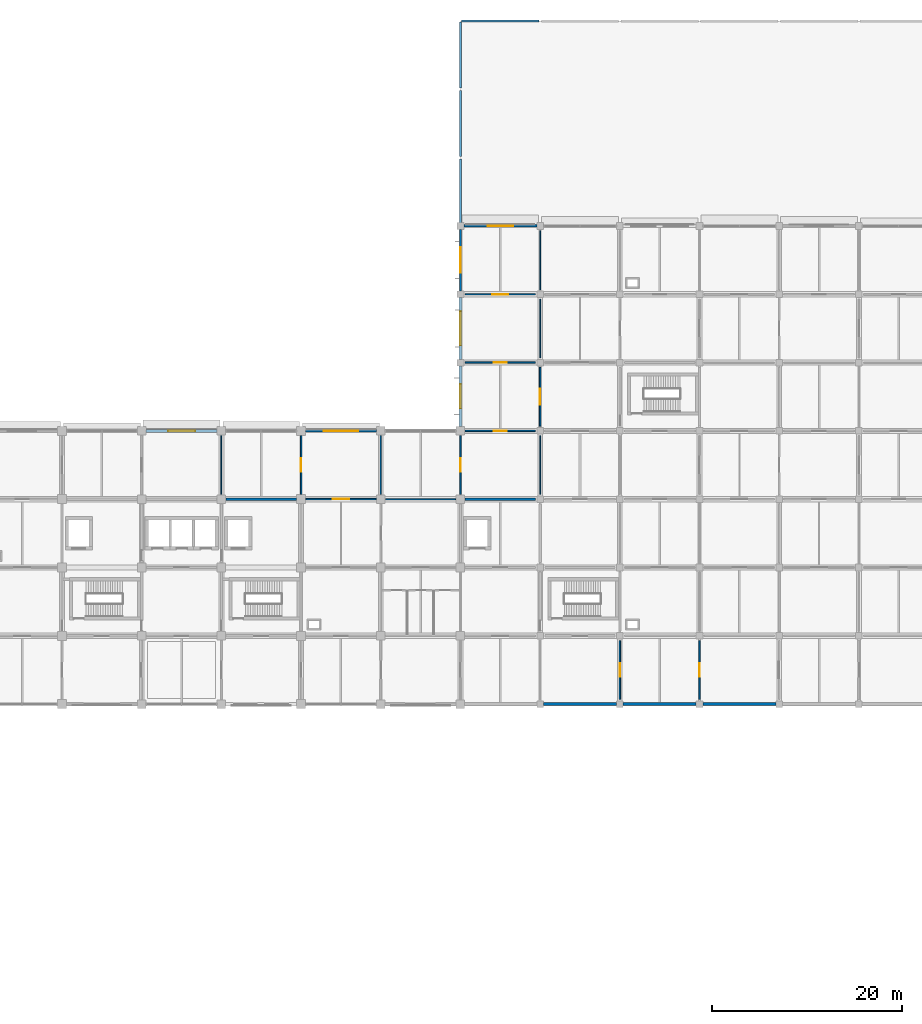
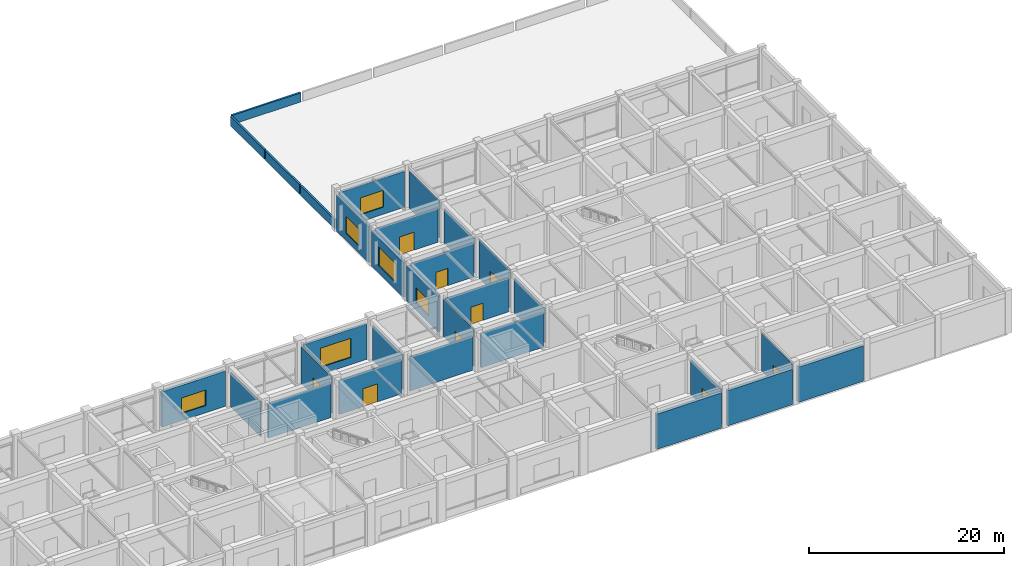
# One storey, part 27 of 41: 30 walls, 9 doors, 6 windows, 15 openings.
"""IFC4 building model written with IfcOpenShell, lengths in metres."""

from ifc_helpers import new_model, si_unit, derived_unit, direction, frame, frame_2d, origin, place, context, subcontext, project, spatial, rectangle, extrude, material, layer, layer_set, type_object, element, fill, save


model = new_model("IFC4")

# Units and contexts
model_context = context("Model", 3, precision=1e-05, world=origin(), true_north=direction((0.0, 1.0)))
body_context = subcontext(model_context, "Body", "Model", "MODEL_VIEW")
ifc_project = project(units=[si_unit("LENGTHUNIT", "METRE"), si_unit("AREAUNIT", "SQUARE_METRE"), si_unit("VOLUMEUNIT", "CUBIC_METRE"), si_unit("PLANEANGLEUNIT", "RADIAN"), si_unit("MASSUNIT", "GRAM", prefix="KILO"), derived_unit("THERMALTRANSMITTANCEUNIT", [(si_unit("MASSUNIT", "GRAM", prefix="KILO"), 1), (si_unit("TIMEUNIT", "SECOND"), -3), (si_unit("THERMODYNAMICTEMPERATUREUNIT", "KELVIN"), -1)])], contexts=[model_context])

# Site, building, storey
site_placement = place(None, origin())
site = spatial("IfcSite", under=ifc_project, at=site_placement, CompositionType="ELEMENT")
building_placement = place(site_placement, origin())
building = spatial("IfcBuilding", under=site, at=building_placement, Name="Veldstrom Oceanarium and Marine Research Institute", CompositionType="ELEMENT")
storey_placement = place(building_placement, frame((0.0, 0.0, 6.0)))
storey = spatial("IfcBuildingStorey", under=building, at=storey_placement, Name="L01", CompositionType="ELEMENT", Elevation=6.0)

# Wall, opening, window
ifc_material_1 = material(Name="Masonry Cavity Wall", Category="masonry")
ifc_layer_1 = layer(ifc_material_1, 0.31005859375)
ifc_layer_set_1 = layer_set([ifc_layer_1], Name="ARC-WAL-EW1")
wall_type_1 = type_object("IfcWallType", Name="ARC-WAL-EW1", PredefinedType="SOLIDWALL", material=ifc_layer_set_1)
wall_1_placement = place(storey_placement, frame((84.449951171875, 72.0, 0.0), z_axis=(0.0, 0.0, 1.0), x_axis=(1.0, 0.0, 0.0)))
wall_1 = element("IfcWall", 1, at=wall_1_placement, inside=storey, type_object=wall_type_1, Name="Exterior Facade Wall EW1 L01-092", PredefinedType="SOLIDWALL", context=body_context, shape_type="SweptSolid", body=[
    extrude(rectangle(XDim=7.5, YDim=0.31005859375, at=frame_2d((3.75, 0.0))), origin(), (0.0, 0.0, 1.0), 4.419921875),
])
opening_1_placement = place(wall_1_placement, frame((2.324951171875, 0.0, 0.89990234375)))
opening_1 = element("IfcOpeningElement", 2, at=opening_1_placement, cuts=wall_1, Name="Opening W19", PredefinedType="OPENING", context=body_context, shape_type="SweptSolid", body=[
    extrude(rectangle(XDim=2.85009765625, YDim=1.949951171875, at=frame_2d((1.425048828125, 0.97509765625))), frame((0.0, 0.1650390625, 0.0), z_axis=(0.0, -1.0, 0.0), x_axis=(1.0, 0.0, 0.0)), (0.0, 0.0, 1.0), 0.330078125),
])
ifc_material_2 = material(Name="Double Glazed Low-E IGU", Category="glass")
window_type_1 = type_object("IfcWindowType", Name="ARC-WIN-W19", PartitioningType="SINGLE_PANEL", PredefinedType="WINDOW", material=ifc_material_2)
window_1_placement = place(opening_1_placement, origin())
window_1 = element("IfcWindow", 3, at=window_1_placement, inside=storey, type_object=window_type_1, Name="Facade Window W19 L01-0061", OverallHeight=1.949951171875, OverallWidth=2.85009765625, PartitioningType="SINGLE_PANEL", PredefinedType="WINDOW", context=body_context, shape_type="SweptSolid", body=[
    extrude(rectangle(XDim=2.85009765625, YDim=1.949951171875, at=frame_2d((1.425048828125, 0.97509765625))), frame((0.0, 0.030029296875, 0.0), z_axis=(0.0, -1.0, 0.0), x_axis=(1.0, 0.0, 0.0)), (0.0, 0.0, 1.0), 0.06005859375),
])
fill(opening_1, window_1)

wall_2_placement = place(storey_placement, frame((117.60009765625, 72.449951171875, 0.0), z_axis=(0.0, 0.0, 1.0), x_axis=(0.0, 1.0, 0.0)))
wall_2 = element("IfcWall", 4, at=wall_2_placement, inside=storey, type_object=wall_type_1, Name="Exterior Facade Wall EW1 L01-097", PredefinedType="SOLIDWALL", context=body_context, shape_type="SweptSolid", body=[
    extrude(rectangle(XDim=6.400146484375, YDim=0.31005859375, at=frame_2d((3.2001953125, 0.0))), origin(), (0.0, 0.0, 1.0), 4.419921875),
])
opening_2_placement = place(wall_2_placement, frame((1.925048828125, 0.0, 0.89990234375)))
opening_2 = element("IfcOpeningElement", 5, at=opening_2_placement, cuts=wall_2, Name="Opening W20", PredefinedType="OPENING", context=body_context, shape_type="SweptSolid", body=[
    extrude(rectangle(XDim=2.550048828125, YDim=1.949951171875, at=frame_2d((1.27490234375, 0.97509765625))), frame((0.0, 0.1650390625, 0.0), z_axis=(0.0, -1.0, 0.0), x_axis=(1.0, 0.0, 0.0)), (0.0, 0.0, 1.0), 0.330078125),
])
ifc_material_3 = material(Name="Double Glazed Low-E IGU", Category="glass")
window_type_2 = type_object("IfcWindowType", Name="ARC-WIN-W20", PartitioningType="SINGLE_PANEL", PredefinedType="WINDOW", material=ifc_material_3)
window_2_placement = place(opening_2_placement, origin())
window_2 = element("IfcWindow", 6, at=window_2_placement, inside=storey, type_object=window_type_2, Name="Facade Window W20 L01-0066", OverallHeight=1.949951171875, OverallWidth=2.550048828125, PartitioningType="SINGLE_PANEL", PredefinedType="WINDOW", context=body_context, shape_type="SweptSolid", body=[
    extrude(rectangle(XDim=2.550048828125, YDim=1.949951171875, at=frame_2d((1.27490234375, 0.97509765625))), frame((0.0, 0.030029296875, 0.0), z_axis=(0.0, -1.0, 0.0), x_axis=(1.0, 0.0, 0.0)), (0.0, 0.0, 1.0), 0.06005859375),
])
fill(opening_2, window_2)

ifc_material_4 = material(Name="Masonry Cavity Wall", Category="masonry")
ifc_layer_2 = layer(ifc_material_4, 0.2900390625)
ifc_layer_set_2 = layer_set([ifc_layer_2], Name="ARC-WAL-EW2")
wall_type_2 = type_object("IfcWallType", Name="ARC-WAL-EW2", PredefinedType="SOLIDWALL", material=ifc_layer_set_2)
wall_3_placement = place(storey_placement, frame((117.60009765625, 79.550048828125, 0.0), z_axis=(0.0, 0.0, 1.0), x_axis=(0.0, 1.0, 0.0)))
wall_3 = element("IfcWall", 7, at=wall_3_placement, inside=storey, type_object=wall_type_2, Name="Exterior Facade Wall EW2 L01-098", PredefinedType="SOLIDWALL", context=body_context, shape_type="SweptSolid", body=[
    extrude(rectangle(XDim=6.5, YDim=0.2900390625, at=frame_2d((3.25, 0.0))), origin(), (0.0, 0.0, 1.0), 4.419921875),
])
opening_3_placement = place(wall_3_placement, frame((1.449951171875, 0.0, 0.89990234375)))
opening_3 = element("IfcOpeningElement", 8, at=opening_3_placement, cuts=wall_3, Name="Opening W11", PredefinedType="OPENING", context=body_context, shape_type="SweptSolid", body=[
    extrude(rectangle(XDim=3.60009765625, YDim=2.39990234375, at=frame_2d((1.800048828125, 1.199951171875))), frame((0.0, 0.155029296875, 0.0), z_axis=(0.0, -1.0, 0.0), x_axis=(1.0, 0.0, 0.0)), (0.0, 0.0, 1.0), 0.31005859375),
])
ifc_material_5 = material(Name="Double Glazed Low-E IGU", Category="glass")
window_type_3 = type_object("IfcWindowType", Name="ARC-WIN-W11", PartitioningType="SINGLE_PANEL", PredefinedType="WINDOW", material=ifc_material_5)
window_3_placement = place(opening_3_placement, origin())
window_3 = element("IfcWindow", 9, at=window_3_placement, inside=storey, type_object=window_type_3, Name="Facade Window W11 L01-0067", OverallHeight=2.39990234375, OverallWidth=3.60009765625, PartitioningType="SINGLE_PANEL", PredefinedType="WINDOW", context=body_context, shape_type="SweptSolid", body=[
    extrude(rectangle(XDim=3.60009765625, YDim=2.39990234375, at=frame_2d((1.800048828125, 1.199951171875))), frame((0.0, 0.030029296875, 0.0), z_axis=(0.0, -1.0, 0.0), x_axis=(1.0, 0.0, 0.0)), (0.0, 0.0, 1.0), 0.06005859375),
])
fill(opening_3, window_3)

ifc_material_6 = material(Name="Masonry Cavity Wall", Category="masonry")
ifc_layer_3 = layer(ifc_material_6, 0.27001953125)
ifc_layer_set_3 = layer_set([ifc_layer_3], Name="ARC-WAL-EW3")
wall_type_3 = type_object("IfcWallType", Name="ARC-WAL-EW3", PredefinedType="SOLIDWALL", material=ifc_layer_set_3)
wall_4_placement = place(storey_placement, frame((101.27490234375, 72.0, 0.0), z_axis=(0.0, 0.0, 1.0), x_axis=(1.0, 0.0, 0.0)))
wall_4 = element("IfcWall", 10, at=wall_4_placement, inside=storey, type_object=wall_type_3, Name="Exterior Facade Wall EW3 L01-094", PredefinedType="SOLIDWALL", context=body_context, shape_type="SweptSolid", body=[
    extrude(rectangle(XDim=7.47509765625, YDim=0.27001953125, at=frame_2d((3.737548828125, 0.0))), origin(), (0.0, 0.0, 1.0), 4.419921875),
])
opening_4_placement = place(wall_4_placement, frame((1.9375, 0.0, 0.89990234375)))
opening_4 = element("IfcOpeningElement", 11, at=opening_4_placement, cuts=wall_4, Name="Opening W11", PredefinedType="OPENING", context=body_context, shape_type="SweptSolid", body=[
    extrude(rectangle(XDim=3.60009765625, YDim=2.39990234375, at=frame_2d((1.800048828125, 1.199951171875))), frame((0.0, 0.14501953125, 0.0), z_axis=(0.0, -1.0, 0.0), x_axis=(1.0, 0.0, 0.0)), (0.0, 0.0, 1.0), 0.2900390625),
])
window_4_placement = place(opening_4_placement, origin())
window_4 = element("IfcWindow", 12, at=window_4_placement, inside=storey, type_object=window_type_3, Name="Facade Window W11 L01-0064", OverallHeight=2.39990234375, OverallWidth=3.60009765625, PartitioningType="SINGLE_PANEL", PredefinedType="WINDOW", context=body_context, shape_type="SweptSolid", body=[
    extrude(rectangle(XDim=3.60009765625, YDim=2.39990234375, at=frame_2d((1.800048828125, 1.199951171875))), frame((0.0, 0.030029296875, 0.0), z_axis=(0.0, -1.0, 0.0), x_axis=(1.0, 0.0, 0.0)), (0.0, 0.0, 1.0), 0.06005859375),
])
fill(opening_4, window_4)

wall_5_placement = place(storey_placement, frame((117.949951171875, 93.60009765625, 0.0), z_axis=(0.0, 0.0, 1.0), x_axis=(1.0, 0.0, 0.0)))
wall_5 = element("IfcWall", 13, at=wall_5_placement, inside=storey, type_object=wall_type_3, Name="Exterior Facade Wall EW3 L01-099", PredefinedType="SOLIDWALL", context=body_context, shape_type="SweptSolid", body=[
    extrude(rectangle(XDim=7.699951171875, YDim=0.27001953125, at=frame_2d((3.85009765625, 0.0))), origin(), (0.0, 0.0, 1.0), 4.52001953125),
])
opening_5_placement = place(wall_5_placement, frame((2.5, 0.0, 0.89990234375)))
opening_5 = element("IfcOpeningElement", 14, at=opening_5_placement, cuts=wall_5, Name="Opening W08", PredefinedType="OPENING", context=body_context, shape_type="SweptSolid", body=[
    extrude(rectangle(XDim=2.699951171875, YDim=2.10009765625, at=frame_2d((1.35009765625, 1.050048828125))), frame((0.0, 0.14501953125, 0.0), z_axis=(0.0, -1.0, 0.0), x_axis=(1.0, 0.0, 0.0)), (0.0, 0.0, 1.0), 0.2900390625),
])
ifc_material_7 = material(Name="Double Glazed Low-E IGU", Category="glass")
window_type_4 = type_object("IfcWindowType", Name="ARC-WIN-W08", PartitioningType="SINGLE_PANEL", PredefinedType="WINDOW", material=ifc_material_7)
window_5_placement = place(opening_5_placement, origin())
window_5 = element("IfcWindow", 15, at=window_5_placement, inside=storey, type_object=window_type_4, Name="Facade Window W08 L01-0068", OverallHeight=2.10009765625, OverallWidth=2.699951171875, PartitioningType="SINGLE_PANEL", PredefinedType="WINDOW", context=body_context, shape_type="SweptSolid", body=[
    extrude(rectangle(XDim=2.699951171875, YDim=2.10009765625, at=frame_2d((1.35009765625, 1.050048828125))), frame((0.0, 0.030029296875, 0.0), z_axis=(0.0, -1.0, 0.0), x_axis=(1.0, 0.0, 0.0)), (0.0, 0.0, 1.0), 0.06005859375),
])
fill(opening_5, window_5)

# Walls
ifc_material_8 = material(Name="Masonry Cavity Wall", Category="masonry")
ifc_layer_4 = layer(ifc_material_8, 0.340087890625)
ifc_layer_set_4 = layer_set([ifc_layer_4], Name="ARC-WAL-EW4")
wall_type_4 = type_object("IfcWallType", Name="ARC-WAL-EW4", PredefinedType="SOLIDWALL", material=ifc_layer_set_4)
for number, where, z_axis, x_axis, name in (
    (16, (126.35009765625, 43.199951171875, 0.0), (0.0, 0.0, 1.0), (1.0, 0.0, 0.0), "Exterior Facade Wall EW4 L01-101"),
    (17, (134.75, 43.199951171875, 0.0), (0.0, 0.0, 1.0), (1.0, 0.0, 0.0), "Exterior Facade Wall EW4 L01-102"),
):
    element("IfcWall", number, at=place(storey_placement, frame(where, z_axis=z_axis, x_axis=x_axis)), inside=storey, type_object=wall_type_4, Name=name, PredefinedType="SOLIDWALL", context=body_context, shape_type="SweptSolid", body=[
        extrude(rectangle(XDim=7.699951171875, YDim=0.340087890625, at=frame_2d((3.85009765625, 0.0))), origin(), (0.0, 0.0, 1.0), 4.419921875),
    ])
wall_6_placement = place(storey_placement, frame((143.14990234375, 43.199951171875, 0.0), z_axis=(0.0, 0.0, 1.0), x_axis=(1.0, 0.0, 0.0)))
element("IfcWall", 18, at=wall_6_placement, inside=storey, type_object=wall_type_4, Name="Exterior Facade Wall EW4 L01-104", PredefinedType="SOLIDWALL", context=body_context, shape_type="SweptSolid", body=[
    extrude(rectangle(XDim=7.7001953125, YDim=0.340087890625, at=frame_2d((3.85009765625, 0.0))), origin(), (0.0, 0.0, 1.0), 4.419921875),
])

# Wall, opening, window
ifc_material_9 = material(Name="Masonry Cavity Wall", Category="masonry")
ifc_layer_5 = layer(ifc_material_9, 0.25)
ifc_layer_set_5 = layer_set([ifc_layer_5], Name="ARC-WAL-EW5")
wall_type_5 = type_object("IfcWallType", Name="ARC-WAL-EW5", PredefinedType="SOLIDWALL", material=ifc_layer_set_5)
wall_7_placement = place(storey_placement, frame((117.60009765625, 86.75, 0.0), z_axis=(0.0, 0.0, 1.0), x_axis=(0.0, 1.0, 0.0)))
wall_7 = element("IfcWall", 19, at=wall_7_placement, inside=storey, type_object=wall_type_5, Name="Exterior Facade Wall EW5 L01-100", PredefinedType="SOLIDWALL", context=body_context, shape_type="SweptSolid", body=[
    extrude(rectangle(XDim=6.5, YDim=0.25, at=frame_2d((3.25, 0.0))), origin(), (0.0, 0.0, 1.0), 4.52001953125),
])
opening_6_placement = place(wall_7_placement, frame((1.89990234375, 0.0, 0.89990234375)))
opening_6 = element("IfcOpeningElement", 20, at=opening_6_placement, cuts=wall_7, Name="Opening W08", PredefinedType="OPENING", context=body_context, shape_type="SweptSolid", body=[
    extrude(rectangle(XDim=2.699951171875, YDim=2.10009765625, at=frame_2d((1.35009765625, 1.050048828125))), frame((0.0, 0.135009765625, 0.0), z_axis=(0.0, -1.0, 0.0), x_axis=(1.0, 0.0, 0.0)), (0.0, 0.0, 1.0), 0.27001953125),
])
window_6_placement = place(opening_6_placement, origin())
window_6 = element("IfcWindow", 21, at=window_6_placement, inside=storey, type_object=window_type_4, Name="Facade Window W08 L01-0069", OverallHeight=2.10009765625, OverallWidth=2.699951171875, PartitioningType="SINGLE_PANEL", PredefinedType="WINDOW", context=body_context, shape_type="SweptSolid", body=[
    extrude(rectangle(XDim=2.699951171875, YDim=2.10009765625, at=frame_2d((1.35009765625, 1.050048828125))), frame((0.0, 0.030029296875, 0.0), z_axis=(0.0, -1.0, 0.0), x_axis=(1.0, 0.0, 0.0)), (0.0, 0.0, 1.0), 0.06005859375),
])
fill(opening_6, window_6)

# Walls
ifc_material_10 = material(Name="Masonry Cavity Wall", Category="masonry")
ifc_layer_6 = layer(ifc_material_10, 0.219970703125)
ifc_layer_set_6 = layer_set([ifc_layer_6], Name="ARC-WAL-PR1")
wall_type_6 = type_object("IfcWallType", Name="ARC-WAL-PR1", PredefinedType="PARAPET", material=ifc_layer_set_6)
for number, where, z_axis, x_axis, name in (
    (22, (117.60009765625, 93.719970703125, 0.0), (0.0, 0.0, 1.0), (0.0, 1.0, 0.0), "Roof Parapet Wall L00-010"),
    (23, (117.60009765625, 100.919921875, 0.0), (0.0, 0.0, 1.0), (0.0, 1.0, 0.0), "Roof Parapet Wall L00-011"),
):
    element("IfcWall", number, at=place(storey_placement, frame(where, z_axis=z_axis, x_axis=x_axis)), inside=storey, type_object=wall_type_6, Name=name, PredefinedType="PARAPET", context=body_context, shape_type="SweptSolid", body=[
        extrude(rectangle(XDim=6.9599609375, YDim=0.219970703125, at=frame_2d((3.47998046875, 0.0))), origin(), (0.0, 0.0, 1.0), 1.14990234375),
    ])
wall_8_placement = place(storey_placement, frame((117.719970703125, 115.199951171875, 0.0), z_axis=(0.0, 0.0, 1.0), x_axis=(1.0, 0.0, 0.0)))
element("IfcWall", 24, at=wall_8_placement, inside=storey, type_object=wall_type_6, Name="Roof Parapet Wall L00-012", PredefinedType="PARAPET", context=body_context, shape_type="SweptSolid", body=[
    extrude(rectangle(XDim=8.159912109375, YDim=0.219970703125, at=frame_2d((4.080078125, 0.0))), origin(), (0.0, 0.0, 1.0), 1.14990234375),
])
wall_9_placement = place(storey_placement, frame((117.60009765625, 108.1201171875, 0.0), z_axis=(0.0, 0.0, 1.0), x_axis=(0.0, 1.0, 0.0)))
element("IfcWall", 25, at=wall_9_placement, inside=storey, type_object=wall_type_6, Name="Roof Parapet Wall L00-013", PredefinedType="PARAPET", context=body_context, shape_type="SweptSolid", body=[
    extrude(rectangle(XDim=6.9599609375, YDim=0.219970703125, at=frame_2d((3.47998046875, 0.0))), origin(), (0.0, 0.0, 1.0), 1.14990234375),
])
ifc_material_11 = material(Name="Masonry Fire Compartment Wall", Category="masonry")
ifc_layer_7 = layer(ifc_material_11, 0.22998046875)
ifc_layer_set_7 = layer_set([ifc_layer_7], Name="ARC-WAL-PT1")
wall_type_7 = type_object("IfcWallType", Name="ARC-WAL-PT1", PredefinedType="PARTITIONING", material=ifc_layer_set_7)
wall_10_placement = place(storey_placement, frame((92.89990234375, 64.800048828125, 0.0), z_axis=(0.0, 0.0, 1.0), x_axis=(1.0, 0.0, 0.0)))
element("IfcWall", 26, at=wall_10_placement, inside=storey, type_object=wall_type_7, Name="Interior Partition PT1 L01-0969", PredefinedType="PARTITIONING", context=body_context, shape_type="SweptSolid", body=[
    extrude(rectangle(XDim=7.400146484375, YDim=0.22998046875, at=frame_2d((3.7001953125, 0.0))), origin(), (0.0, 0.0, 1.0), 4.27001953125),
])
wall_11_placement = place(storey_placement, frame((118.10009765625, 64.800048828125, 0.0), z_axis=(0.0, 0.0, 1.0), x_axis=(1.0, 0.0, 0.0)))
element("IfcWall", 27, at=wall_11_placement, inside=storey, type_object=wall_type_7, Name="Interior Partition PT1 L01-0990", PredefinedType="PARTITIONING", context=body_context, shape_type="SweptSolid", body=[
    extrude(rectangle(XDim=7.39990234375, YDim=0.22998046875, at=frame_2d((3.699951171875, 0.0))), origin(), (0.0, 0.0, 1.0), 4.27001953125),
])

# Wall, opening, door
ifc_material_12 = material(Name="Drywall Corridor Partition", Category="gypsum")
ifc_layer_8 = layer(ifc_material_12, 0.155029296875)
ifc_layer_set_8 = layer_set([ifc_layer_8], Name="ARC-WAL-PT4")
wall_type_8 = type_object("IfcWallType", Name="ARC-WAL-PT4", PredefinedType="PARTITIONING", material=ifc_layer_set_8)
wall_12_placement = place(storey_placement, frame((100.800048828125, 65.300048828125, 0.0), z_axis=(0.0, 0.0, 1.0), x_axis=(0.0, 1.0, 0.0)))
wall_12 = element("IfcWall", 28, at=wall_12_placement, inside=storey, type_object=wall_type_8, Name="Interior Partition PT4 L01-0970", PredefinedType="PARTITIONING", context=body_context, shape_type="SweptSolid", body=[
    extrude(rectangle(XDim=6.199951171875, YDim=0.155029296875, at=frame_2d((3.10009765625, 0.0))), origin(), (0.0, 0.0, 1.0), 4.570068359375),
])
opening_7_placement = place(wall_12_placement, frame((2.39990234375, 0.0, 0.0)))
opening_7 = element("IfcOpeningElement", 29, at=opening_7_placement, cuts=wall_12, Name="Opening D-L01-563", PredefinedType="OPENING", context=body_context, shape_type="SweptSolid", body=[
    extrude(rectangle(XDim=1.39990234375, YDim=2.14990234375, at=frame_2d((0.699951171875, 1.074951171875))), frame((0.0, 0.08740234375, 0.0), z_axis=(0.0, -1.0, 0.0), x_axis=(1.0, 0.0, 0.0)), (0.0, 0.0, 1.0), 0.175048828125),
])
ifc_material_13 = material(Name="Education Classroom Door", Category="timber")
door_type_1 = type_object("IfcDoorType", Name="ARC-DOR-ID04", OperationType="DOUBLE_DOOR_SINGLE_SWING", PredefinedType="DOOR", material=ifc_material_13)
door_1_placement = place(opening_7_placement, origin())
door_1 = element("IfcDoor", 30, at=door_1_placement, inside=storey, type_object=door_type_1, Name="Interior Door D-L01-563", OperationType="DOUBLE_DOOR_SINGLE_SWING", OverallHeight=2.14990234375, OverallWidth=1.39990234375, PredefinedType="DOOR", context=body_context, shape_type="SweptSolid", body=[
    extrude(rectangle(XDim=1.39990234375, YDim=2.14990234375, at=frame_2d((0.699951171875, 1.074951171875))), frame((0.0, 0.02490234375, 0.0), z_axis=(0.0, -1.0, 0.0), x_axis=(1.0, 0.0, 0.0)), (0.0, 0.0, 1.0), 0.050048828125),
])
fill(opening_7, door_1)

wall_13_placement = place(storey_placement, frame((101.300048828125, 64.800048828125, 0.0), z_axis=(0.0, 0.0, 1.0), x_axis=(1.0, 0.0, 0.0)))
wall_13 = element("IfcWall", 31, at=wall_13_placement, inside=storey, type_object=wall_type_8, Name="Interior Partition PT4 L01-0976", PredefinedType="PARTITIONING", context=body_context, shape_type="SweptSolid", body=[
    extrude(rectangle(XDim=7.39990234375, YDim=0.155029296875, at=frame_2d((3.699951171875, 0.0))), origin(), (0.0, 0.0, 1.0), 4.27001953125),
])
opening_8_placement = place(wall_13_placement, frame((2.85009765625, 0.0, 0.0)))
opening_8 = element("IfcOpeningElement", 32, at=opening_8_placement, cuts=wall_13, Name="Opening D-L01-568", PredefinedType="OPENING", context=body_context, shape_type="SweptSolid", body=[
    extrude(rectangle(XDim=1.699951171875, YDim=2.25, at=frame_2d((0.85009765625, 1.125))), frame((0.0, 0.08740234375, 0.0), z_axis=(0.0, -1.0, 0.0), x_axis=(1.0, 0.0, 0.0)), (0.0, 0.0, 1.0), 0.175048828125),
])
ifc_material_14 = material(Name="Symposium Auditorium Door", Category="timber")
door_type_2 = type_object("IfcDoorType", Name="ARC-DOR-ID13", OperationType="DOUBLE_DOOR_SINGLE_SWING", PredefinedType="DOOR", material=ifc_material_14)
door_2_placement = place(opening_8_placement, frame((1.699951171875, 0.0, 0.0), z_axis=(0.0, 0.0, 1.0), x_axis=(-1.0, 0.0, 0.0)))
door_2 = element("IfcDoor", 33, at=door_2_placement, inside=storey, type_object=door_type_2, Name="Interior Door D-L01-568", OperationType="DOUBLE_DOOR_SINGLE_SWING", OverallHeight=2.25, OverallWidth=1.699951171875, PredefinedType="DOOR", context=body_context, shape_type="SweptSolid", body=[
    extrude(rectangle(XDim=1.699951171875, YDim=2.25, at=frame_2d((0.85009765625, 1.125))), frame((0.0, 0.02490234375, 0.0), z_axis=(0.0, -1.0, 0.0), x_axis=(1.0, 0.0, 0.0)), (0.0, 0.0, 1.0), 0.050048828125),
])
fill(opening_8, door_2)

wall_14_placement = place(storey_placement, frame((117.60009765625, 65.300048828125, 0.0), z_axis=(0.0, 0.0, 1.0), x_axis=(0.0, 1.0, 0.0)))
wall_14 = element("IfcWall", 34, at=wall_14_placement, inside=storey, type_object=wall_type_8, Name="Interior Partition PT4 L01-0984", PredefinedType="PARTITIONING", context=body_context, shape_type="SweptSolid", body=[
    extrude(rectangle(XDim=6.199951171875, YDim=0.155029296875, at=frame_2d((3.10009765625, 0.0))), origin(), (0.0, 0.0, 1.0), 4.669921875),
])
opening_9_placement = place(wall_14_placement, frame((2.39990234375, 0.0, 0.0)))
opening_9 = element("IfcOpeningElement", 35, at=opening_9_placement, cuts=wall_14, Name="Opening D-L01-571", PredefinedType="OPENING", context=body_context, shape_type="SweptSolid", body=[
    extrude(rectangle(XDim=1.39990234375, YDim=2.14990234375, at=frame_2d((0.699951171875, 1.074951171875))), frame((0.0, 0.08740234375, 0.0), z_axis=(0.0, -1.0, 0.0), x_axis=(1.0, 0.0, 0.0)), (0.0, 0.0, 1.0), 0.175048828125),
])
door_3_placement = place(opening_9_placement, origin())
door_3 = element("IfcDoor", 36, at=door_3_placement, inside=storey, type_object=door_type_1, Name="Interior Door D-L01-571", OperationType="DOUBLE_DOOR_SINGLE_SWING", OverallHeight=2.14990234375, OverallWidth=1.39990234375, PredefinedType="DOOR", context=body_context, shape_type="SweptSolid", body=[
    extrude(rectangle(XDim=1.39990234375, YDim=2.14990234375, at=frame_2d((0.699951171875, 1.074951171875))), frame((0.0, 0.02490234375, 0.0), z_axis=(0.0, -1.0, 0.0), x_axis=(1.0, 0.0, 0.0)), (0.0, 0.0, 1.0), 0.050048828125),
])
fill(opening_9, door_3)

wall_15_placement = place(storey_placement, frame((126.0, 72.5, 0.0), z_axis=(0.0, 0.0, 1.0), x_axis=(0.0, 1.0, 0.0)))
wall_15 = element("IfcWall", 37, at=wall_15_placement, inside=storey, type_object=wall_type_8, Name="Interior Partition PT4 L01-0993", PredefinedType="PARTITIONING", context=body_context, shape_type="SweptSolid", body=[
    extrude(rectangle(XDim=6.199951171875, YDim=0.155029296875, at=frame_2d((3.10009765625, 0.0))), origin(), (0.0, 0.0, 1.0), 4.780029296875),
])
opening_10_placement = place(wall_15_placement, frame((2.25, 0.0, 0.0)))
opening_10 = element("IfcOpeningElement", 38, at=opening_10_placement, cuts=wall_15, Name="Opening D-L01-576", PredefinedType="OPENING", context=body_context, shape_type="SweptSolid", body=[
    extrude(rectangle(XDim=1.699951171875, YDim=2.25, at=frame_2d((0.85009765625, 1.125))), frame((0.0, 0.08740234375, 0.0), z_axis=(0.0, -1.0, 0.0), x_axis=(1.0, 0.0, 0.0)), (0.0, 0.0, 1.0), 0.175048828125),
])
door_4_placement = place(opening_10_placement, origin())
door_4 = element("IfcDoor", 39, at=door_4_placement, inside=storey, type_object=door_type_2, Name="Interior Door D-L01-576", OperationType="DOUBLE_DOOR_SINGLE_SWING", OverallHeight=2.25, OverallWidth=1.699951171875, PredefinedType="DOOR", context=body_context, shape_type="SweptSolid", body=[
    extrude(rectangle(XDim=1.699951171875, YDim=2.25, at=frame_2d((0.85009765625, 1.125))), frame((0.0, 0.02490234375, 0.0), z_axis=(0.0, -1.0, 0.0), x_axis=(1.0, 0.0, 0.0)), (0.0, 0.0, 1.0), 0.050048828125),
])
fill(opening_10, door_4)

wall_16_placement = place(storey_placement, frame((118.10009765625, 79.199951171875, 0.0), z_axis=(0.0, 0.0, 1.0), x_axis=(1.0, 0.0, 0.0)))
wall_16 = element("IfcWall", 40, at=wall_16_placement, inside=storey, type_object=wall_type_8, Name="Interior Partition PT4 L01-0994", PredefinedType="PARTITIONING", context=body_context, shape_type="SweptSolid", body=[
    extrude(rectangle(XDim=7.39990234375, YDim=0.155029296875, at=frame_2d((3.699951171875, 0.0))), origin(), (0.0, 0.0, 1.0), 4.27001953125),
])
opening_11_placement = place(wall_16_placement, frame((3.0, 0.0, 0.0)))
opening_11 = element("IfcOpeningElement", 41, at=opening_11_placement, cuts=wall_16, Name="Opening D-L01-577", PredefinedType="OPENING", context=body_context, shape_type="SweptSolid", body=[
    extrude(rectangle(XDim=1.39990234375, YDim=2.14990234375, at=frame_2d((0.699951171875, 1.074951171875))), frame((0.0, 0.08740234375, 0.0), z_axis=(0.0, -1.0, 0.0), x_axis=(1.0, 0.0, 0.0)), (0.0, 0.0, 1.0), 0.175048828125),
])
door_5_placement = place(opening_11_placement, frame((1.39990234375, 0.0, 0.0), z_axis=(0.0, 0.0, 1.0), x_axis=(-1.0, 0.0, 0.0)))
door_5 = element("IfcDoor", 42, at=door_5_placement, inside=storey, type_object=door_type_1, Name="Interior Door D-L01-577", OperationType="DOUBLE_DOOR_SINGLE_SWING", OverallHeight=2.14990234375, OverallWidth=1.39990234375, PredefinedType="DOOR", context=body_context, shape_type="SweptSolid", body=[
    extrude(rectangle(XDim=1.39990234375, YDim=2.14990234375, at=frame_2d((0.699951171875, 1.074951171875))), frame((0.0, 0.02490234375, 0.0), z_axis=(0.0, -1.0, 0.0), x_axis=(1.0, 0.0, 0.0)), (0.0, 0.0, 1.0), 0.050048828125),
])
fill(opening_11, door_5)

wall_17_placement = place(storey_placement, frame((142.800048828125, 43.699951171875, 0.0), z_axis=(0.0, 0.0, 1.0), x_axis=(0.0, 1.0, 0.0)))
wall_17 = element("IfcWall", 43, at=wall_17_placement, inside=storey, type_object=wall_type_8, Name="Interior Partition PT4 L01-1011", PredefinedType="PARTITIONING", context=body_context, shape_type="SweptSolid", body=[
    extrude(rectangle(XDim=6.199951171875, YDim=0.155029296875, at=frame_2d((3.10009765625, 0.0))), origin(), (0.0, 0.0, 1.0), 4.669921875),
])
opening_12_placement = place(wall_17_placement, frame((2.39990234375, 0.0, 0.0)))
opening_12 = element("IfcOpeningElement", 44, at=opening_12_placement, cuts=wall_17, Name="Opening D-L01-587", PredefinedType="OPENING", context=body_context, shape_type="SweptSolid", body=[
    extrude(rectangle(XDim=1.39990234375, YDim=2.14990234375, at=frame_2d((0.699951171875, 1.074951171875))), frame((0.0, 0.08740234375, 0.0), z_axis=(0.0, -1.0, 0.0), x_axis=(1.0, 0.0, 0.0)), (0.0, 0.0, 1.0), 0.175048828125),
])
door_6_placement = place(opening_12_placement, origin())
door_6 = element("IfcDoor", 45, at=door_6_placement, inside=storey, type_object=door_type_1, Name="Interior Door D-L01-587", OperationType="DOUBLE_DOOR_SINGLE_SWING", OverallHeight=2.14990234375, OverallWidth=1.39990234375, PredefinedType="DOOR", context=body_context, shape_type="SweptSolid", body=[
    extrude(rectangle(XDim=1.39990234375, YDim=2.14990234375, at=frame_2d((0.699951171875, 1.074951171875))), frame((0.0, 0.02490234375, 0.0), z_axis=(0.0, -1.0, 0.0), x_axis=(1.0, 0.0, 0.0)), (0.0, 0.0, 1.0), 0.050048828125),
])
fill(opening_12, door_6)

ifc_material_15 = material(Name="Moisture-Resistant Wet-Area Partition", Category="masonry")
ifc_layer_9 = layer(ifc_material_15, 0.139892578125)
ifc_layer_set_9 = layer_set([ifc_layer_9], Name="ARC-WAL-PT5")
wall_type_9 = type_object("IfcWallType", Name="ARC-WAL-PT5", PredefinedType="PARTITIONING", material=ifc_layer_set_9)
wall_18_placement = place(storey_placement, frame((118.10009765625, 72.0, 0.0), z_axis=(0.0, 0.0, 1.0), x_axis=(1.0, 0.0, 0.0)))
wall_18 = element("IfcWall", 46, at=wall_18_placement, inside=storey, type_object=wall_type_9, Name="Interior Partition PT5 L01-0992", PredefinedType="PARTITIONING", context=body_context, shape_type="SweptSolid", body=[
    extrude(rectangle(XDim=7.39990234375, YDim=0.139892578125, at=frame_2d((3.699951171875, 0.0))), origin(), (0.0, 0.0, 1.0), 4.27001953125),
])
opening_13_placement = place(wall_18_placement, frame((3.0, 0.0, 0.0)))
opening_13 = element("IfcOpeningElement", 47, at=opening_13_placement, cuts=wall_18, Name="Opening D-L01-575", PredefinedType="OPENING", context=body_context, shape_type="SweptSolid", body=[
    extrude(rectangle(XDim=1.39990234375, YDim=2.14990234375, at=frame_2d((0.699951171875, 1.074951171875))), frame((0.0, 0.079833984375, 0.0), z_axis=(0.0, -1.0, 0.0), x_axis=(1.0, 0.0, 0.0)), (0.0, 0.0, 1.0), 0.159912109375),
])
door_7_placement = place(opening_13_placement, origin())
door_7 = element("IfcDoor", 48, at=door_7_placement, inside=storey, type_object=door_type_1, Name="Interior Door D-L01-575", OperationType="DOUBLE_DOOR_SINGLE_SWING", OverallHeight=2.14990234375, OverallWidth=1.39990234375, PredefinedType="DOOR", context=body_context, shape_type="SweptSolid", body=[
    extrude(rectangle(XDim=1.39990234375, YDim=2.14990234375, at=frame_2d((0.699951171875, 1.074951171875))), frame((0.0, 0.02490234375, 0.0), z_axis=(0.0, -1.0, 0.0), x_axis=(1.0, 0.0, 0.0)), (0.0, 0.0, 1.0), 0.050048828125),
])
fill(opening_13, door_7)

wall_19_placement = place(storey_placement, frame((118.10009765625, 86.39990234375, 0.0), z_axis=(0.0, 0.0, 1.0), x_axis=(1.0, 0.0, 0.0)))
wall_19 = element("IfcWall", 49, at=wall_19_placement, inside=storey, type_object=wall_type_9, Name="Interior Partition PT5 L01-0996", PredefinedType="PARTITIONING", context=body_context, shape_type="SweptSolid", body=[
    extrude(rectangle(XDim=7.39990234375, YDim=0.139892578125, at=frame_2d((3.699951171875, 0.0))), origin(), (0.0, 0.0, 1.0), 4.27001953125),
])
opening_14_placement = place(wall_19_placement, frame((2.85009765625, 0.0, 0.0)))
opening_14 = element("IfcOpeningElement", 50, at=opening_14_placement, cuts=wall_19, Name="Opening D-L01-578", PredefinedType="OPENING", context=body_context, shape_type="SweptSolid", body=[
    extrude(rectangle(XDim=1.699951171875, YDim=2.25, at=frame_2d((0.85009765625, 1.125))), frame((0.0, 0.079833984375, 0.0), z_axis=(0.0, -1.0, 0.0), x_axis=(1.0, 0.0, 0.0)), (0.0, 0.0, 1.0), 0.159912109375),
])
door_8_placement = place(opening_14_placement, origin())
door_8 = element("IfcDoor", 51, at=door_8_placement, inside=storey, type_object=door_type_2, Name="Interior Door D-L01-578", OperationType="DOUBLE_DOOR_SINGLE_SWING", OverallHeight=2.25, OverallWidth=1.699951171875, PredefinedType="DOOR", context=body_context, shape_type="SweptSolid", body=[
    extrude(rectangle(XDim=1.699951171875, YDim=2.25, at=frame_2d((0.85009765625, 1.125))), frame((0.0, 0.02490234375, 0.0), z_axis=(0.0, -1.0, 0.0), x_axis=(1.0, 0.0, 0.0)), (0.0, 0.0, 1.0), 0.050048828125),
])
fill(opening_14, door_8)

wall_20_placement = place(storey_placement, frame((134.39990234375, 43.699951171875, 0.0), z_axis=(0.0, 0.0, 1.0), x_axis=(0.0, 1.0, 0.0)))
wall_20 = element("IfcWall", 52, at=wall_20_placement, inside=storey, type_object=wall_type_9, Name="Interior Partition PT5 L01-0998", PredefinedType="PARTITIONING", context=body_context, shape_type="SweptSolid", body=[
    extrude(rectangle(XDim=6.199951171875, YDim=0.139892578125, at=frame_2d((3.10009765625, 0.0))), origin(), (0.0, 0.0, 1.0), 4.320068359375),
])
opening_15_placement = place(wall_20_placement, frame((2.39990234375, 0.0, 0.0)))
opening_15 = element("IfcOpeningElement", 53, at=opening_15_placement, cuts=wall_20, Name="Opening D-L01-579", PredefinedType="OPENING", context=body_context, shape_type="SweptSolid", body=[
    extrude(rectangle(XDim=1.39990234375, YDim=2.14990234375, at=frame_2d((0.699951171875, 1.074951171875))), frame((0.0, 0.079833984375, 0.0), z_axis=(0.0, -1.0, 0.0), x_axis=(1.0, 0.0, 0.0)), (0.0, 0.0, 1.0), 0.159912109375),
])
door_9_placement = place(opening_15_placement, frame((1.39990234375, 0.0, 0.0), z_axis=(0.0, 0.0, 1.0), x_axis=(-1.0, 0.0, 0.0)))
door_9 = element("IfcDoor", 54, at=door_9_placement, inside=storey, type_object=door_type_1, Name="Interior Door D-L01-579", OperationType="DOUBLE_DOOR_SINGLE_SWING", OverallHeight=2.14990234375, OverallWidth=1.39990234375, PredefinedType="DOOR", context=body_context, shape_type="SweptSolid", body=[
    extrude(rectangle(XDim=1.39990234375, YDim=2.14990234375, at=frame_2d((0.699951171875, 1.074951171875))), frame((0.0, 0.02490234375, 0.0), z_axis=(0.0, -1.0, 0.0), x_axis=(1.0, 0.0, 0.0)), (0.0, 0.0, 1.0), 0.050048828125),
])
fill(opening_15, door_9)

# Walls
ifc_material_16 = material(Name="Lightweight Studio Partition", Category="gypsum")
ifc_layer_10 = layer(ifc_material_16, 0.1201171875)
ifc_layer_set_10 = layer_set([ifc_layer_10], Name="ARC-WAL-PT6")
wall_type_10 = type_object("IfcWallType", Name="ARC-WAL-PT6", PredefinedType="PARTITIONING", material=ifc_layer_set_10)
for number, where, z_axis, x_axis, name in (
    (55, (92.39990234375, 65.300048828125, 0.0), (0.0, 0.0, 1.0), (0.0, 1.0, 0.0), "Interior Partition PT6 L01-0963"),
    (56, (109.199951171875, 65.300048828125, 0.0), (0.0, 0.0, 1.0), (0.0, 1.0, 0.0), "Interior Partition PT6 L01-0977"),
):
    element("IfcWall", number, at=place(storey_placement, frame(where, z_axis=z_axis, x_axis=x_axis)), inside=storey, type_object=wall_type_10, Name=name, PredefinedType="PARTITIONING", context=body_context, shape_type="SweptSolid", body=[
        extrude(rectangle(XDim=6.199951171875, YDim=0.1201171875, at=frame_2d((3.10009765625, 0.0))), origin(), (0.0, 0.0, 1.0), 4.320068359375),
    ])
wall_21_placement = place(storey_placement, frame((109.699951171875, 64.800048828125, 0.0), z_axis=(0.0, 0.0, 1.0), x_axis=(1.0, 0.0, 0.0)))
element("IfcWall", 57, at=wall_21_placement, inside=storey, type_object=wall_type_10, Name="Interior Partition PT6 L01-0983", PredefinedType="PARTITIONING", context=body_context, shape_type="SweptSolid", body=[
    extrude(rectangle(XDim=7.400146484375, YDim=0.1201171875, at=frame_2d((3.7001953125, 0.0))), origin(), (0.0, 0.0, 1.0), 4.27001953125),
])
for number, where, z_axis, x_axis, name in (
    (58, (126.0, 65.300048828125, 0.0), (0.0, 0.0, 1.0), (0.0, 1.0, 0.0), "Interior Partition PT6 L01-0991"),
    (59, (126.0, 79.699951171875, 0.0), (0.0, 0.0, 1.0), (0.0, 1.0, 0.0), "Interior Partition PT6 L01-0995"),
):
    element("IfcWall", number, at=place(storey_placement, frame(where, z_axis=z_axis, x_axis=x_axis)), inside=storey, type_object=wall_type_10, Name=name, PredefinedType="PARTITIONING", context=body_context, shape_type="SweptSolid", body=[
        extrude(rectangle(XDim=6.199951171875, YDim=0.1201171875, at=frame_2d((3.10009765625, 0.0))), origin(), (0.0, 0.0, 1.0), 4.320068359375),
    ])
wall_22_placement = place(storey_placement, frame((126.0, 86.89990234375, 0.0), z_axis=(0.0, 0.0, 1.0), x_axis=(0.0, 1.0, 0.0)))
element("IfcWall", 60, at=wall_22_placement, inside=storey, type_object=wall_type_10, Name="Interior Partition PT6 L01-0997", PredefinedType="PARTITIONING", context=body_context, shape_type="SweptSolid", body=[
    extrude(rectangle(XDim=6.2001953125, YDim=0.1201171875, at=frame_2d((3.10009765625, 0.0))), origin(), (0.0, 0.0, 1.0), 4.669921875),
])

save(model, "model.ifc")
